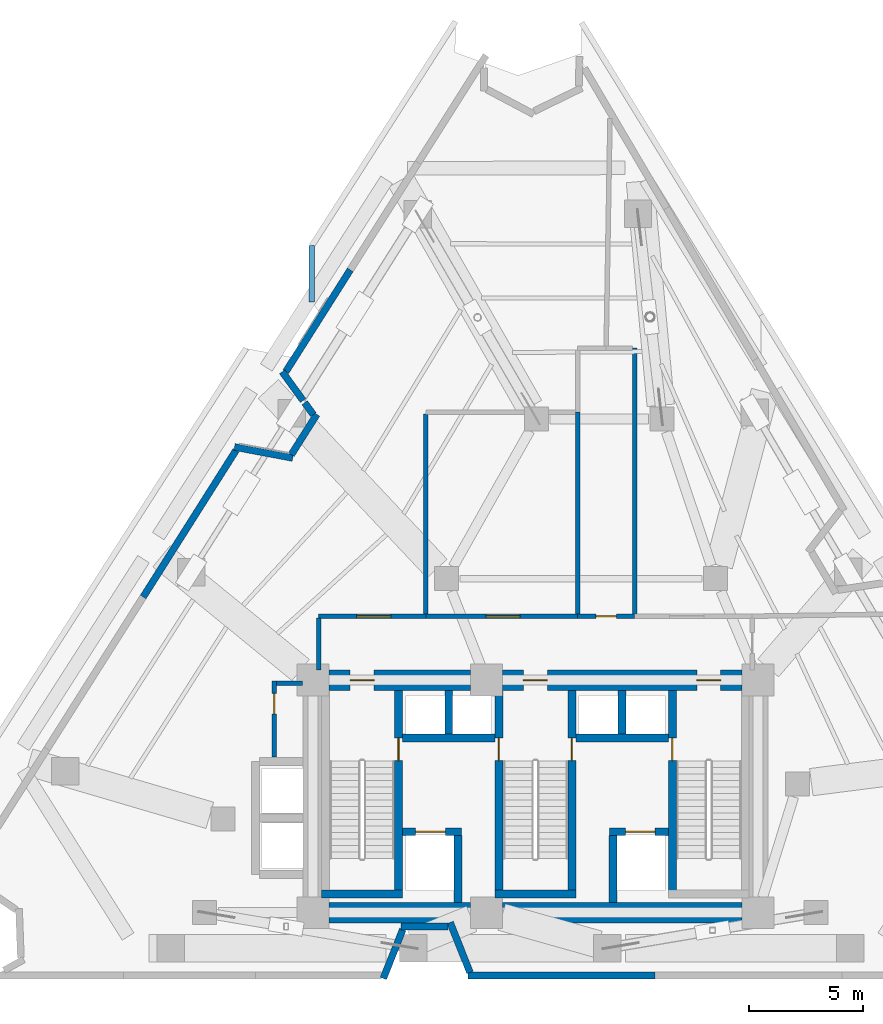
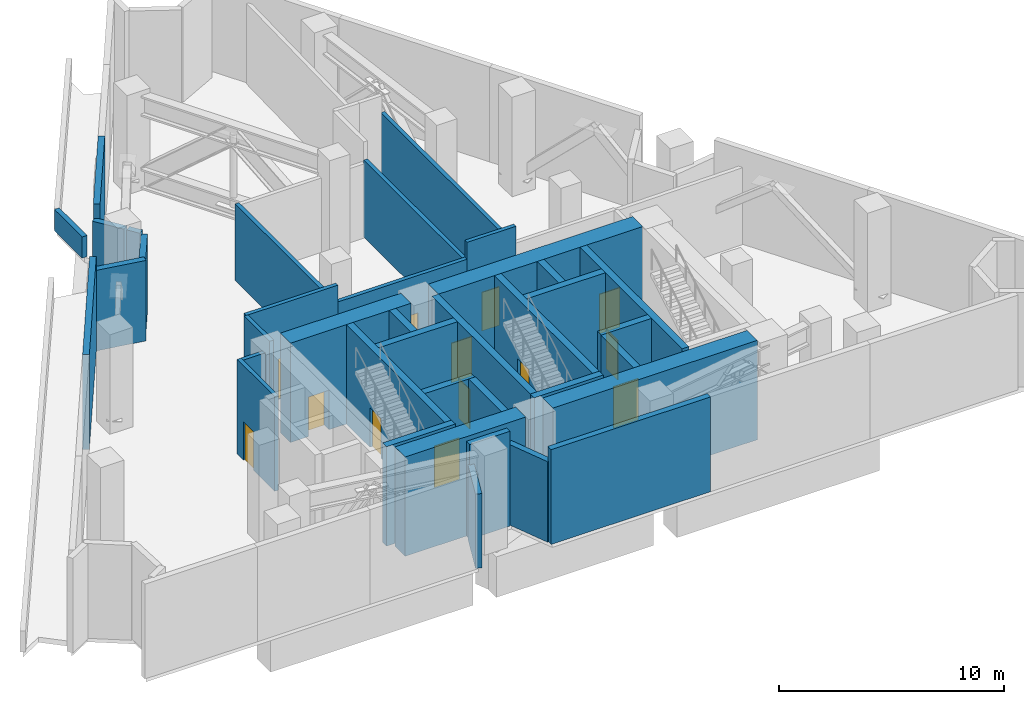
# One storey, part 7 of 9: 38 walls, 13 doors, 13 openings.
"""IFC4 building model written with IfcOpenShell, lengths in metres."""

from ifc_helpers import new_model, si_unit, direction, frame, frame_2d, origin, place, context, subcontext, project, spatial, rectangle, extrude, material, layer, layer_set, type_object, element, fill, save


model = new_model("IFC4")

# Units and contexts
model_context = context("Model", 3, precision=1e-05, world=origin(), true_north=direction((0.0, 1.0)))
body_context = subcontext(model_context, "Body", "Model", "MODEL_VIEW")
ifc_project = project(units=[si_unit("LENGTHUNIT", "METRE"), si_unit("AREAUNIT", "SQUARE_METRE"), si_unit("VOLUMEUNIT", "CUBIC_METRE"), si_unit("PLANEANGLEUNIT", "RADIAN"), si_unit("MASSUNIT", "GRAM", prefix="KILO")], contexts=[model_context])

# Site, building, storey
site_placement = place(None, origin())
site = spatial("IfcSite", under=ifc_project, at=site_placement, CompositionType="ELEMENT")
building_placement = place(site_placement, origin())
building = spatial("IfcBuilding", under=site, at=building_placement, Name="Almagre Mirador Tower", CompositionType="ELEMENT")
storey_placement = place(building_placement, frame((0.0, 0.0, 105.0)))
storey = spatial("IfcBuildingStorey", under=building, at=storey_placement, Name="L26", CompositionType="ELEMENT", Elevation=105.0)

# Walls
ifc_material_1 = material(Name="Precast concrete C50/60", Category="concrete")
ifc_layer_1 = layer(ifc_material_1, 0.300048828125)
ifc_layer_set_1 = layer_set([ifc_layer_1], Name="Precast concrete C50/60")
wall_type_1 = type_object("IfcWallType", Name="WAL-EXT-300", PredefinedType="SOLIDWALL", material=ifc_layer_set_1)
wall_1_placement = place(storey_placement, frame((24.111328125, 24.968017578125, 0.0), z_axis=(0.0, 0.0, 1.0), x_axis=(0.982733402646, -0.185027185367, 0.0)))
element("IfcWall", 1, at=wall_1_placement, inside=storey, type_object=wall_type_1, Name="L26 expressed almagre precast frame wall 01", PredefinedType="SOLIDWALL", context=body_context, shape_type="SweptSolid", body=[
    extrude(rectangle(XDim=2.593994140625, YDim=0.300048828125, at=frame_2d((1.296875, 0.0))), origin(), (0.0, 0.0, 1.0), 4.375),
])
wall_2_placement = place(storey_placement, frame((26.597900390625, 24.63232421875, 0.0), z_axis=(0.0, 0.0, 1.0), x_axis=(0.534893663515, 0.844919385937, 0.0)))
element("IfcWall", 2, at=wall_2_placement, inside=storey, type_object=wall_type_1, Name="L26 expressed almagre precast frame wall 02", PredefinedType="SOLIDWALL", context=body_context, shape_type="SweptSolid", body=[
    extrude(rectangle(XDim=2.090087890625, YDim=0.300048828125, at=frame_2d((1.044921875, 0.0))), origin(), (0.0, 0.0, 1.0), 4.177001953125),
])
wall_3_placement = place(storey_placement, frame((27.561767578125, 26.389404296875, 0.0), z_axis=(0.0, 0.0, 1.0), x_axis=(-0.587291012921, 0.80937584974, 0.0)))
element("IfcWall", 3, at=wall_3_placement, inside=storey, type_object=wall_type_1, Name="L26 expressed almagre precast frame wall 03", PredefinedType="SOLIDWALL", context=body_context, shape_type="SweptSolid", body=[
    extrude(rectangle(XDim=0.64306640625, YDim=0.300048828125, at=frame_2d((0.321533203125, 0.0))), origin(), (0.0, 0.0, 1.0), 4.375),
])
wall_4_placement = place(storey_placement, frame((27.11279296875, 27.008056640625, 0.0), z_axis=(0.0, 0.0, 1.0), x_axis=(-0.58731233988, 0.809360374262, 0.0)))
element("IfcWall", 4, at=wall_4_placement, inside=storey, type_object=wall_type_1, Name="L26 expressed almagre precast frame wall 04", PredefinedType="SOLIDWALL", context=body_context, shape_type="SweptSolid", body=[
    extrude(rectangle(XDim=1.5546875, YDim=0.300048828125, at=frame_2d((0.77734375, 0.0))), origin(), (0.0, 0.0, 1.0), 4.375),
])
wall_5_placement = place(storey_placement, frame((26.35693359375, 28.271240234375, 0.0), z_axis=(0.0, 0.0, 1.0), x_axis=(0.53489488565, 0.844918612238, 0.0)))
element("IfcWall", 5, at=wall_5_placement, inside=storey, type_object=wall_type_1, Name="L26 expressed almagre precast frame wall 05", PredefinedType="SOLIDWALL", context=body_context, shape_type="SweptSolid", body=[
    extrude(rectangle(XDim=5.2841796875, YDim=0.300048828125, at=frame_2d((2.64208984375, 0.0))), origin(), (0.0, 0.0, 1.0), 5.14990234375),
])
wall_6_placement = place(storey_placement, frame((42.542724609375, 1.800048828125, 0.0), z_axis=(0.0, 0.0, 1.0), x_axis=(-1.0, 0.0, 0.0)))
element("IfcWall", 6, at=wall_6_placement, inside=storey, type_object=wall_type_1, Name="L26 expressed almagre precast frame wall 26", PredefinedType="SOLIDWALL", context=body_context, shape_type="SweptSolid", body=[
    extrude(rectangle(XDim=8.19873046875, YDim=0.300048828125, at=frame_2d((4.099365234375, 0.0))), origin(), (0.0, 0.0, 1.0), 5.14990234375),
])
wall_7_placement = place(storey_placement, frame((34.43408203125, 1.92529296875, 0.0), z_axis=(0.0, 0.0, 1.0), x_axis=(-0.36946923074, 0.92924296475, 0.0)))
element("IfcWall", 7, at=wall_7_placement, inside=storey, type_object=wall_type_1, Name="L26 expressed almagre precast frame wall 27", PredefinedType="SOLIDWALL", context=body_context, shape_type="SweptSolid", body=[
    extrude(rectangle(XDim=2.366943359375, YDim=0.300048828125, at=frame_2d((1.18359375, 0.0))), origin(), (0.0, 0.0, 1.0), 4.375),
])
wall_8_placement = place(storey_placement, frame((33.47412109375, 3.949951171875, 0.0), z_axis=(0.0, 0.0, 1.0), x_axis=(-1.0, 0.0, 0.0)))
element("IfcWall", 8, at=wall_8_placement, inside=storey, type_object=wall_type_1, Name="L26 expressed almagre precast frame wall 28", PredefinedType="SOLIDWALL", context=body_context, shape_type="SweptSolid", body=[
    extrude(rectangle(XDim=2.0751953125, YDim=0.300048828125, at=frame_2d((1.03759765625, 0.0))), origin(), (0.0, 0.0, 1.0), 5.14990234375),
])
wall_9_placement = place(storey_placement, frame((31.486572265625, 3.818115234375, 0.0), z_axis=(0.0, 0.0, 1.0), x_axis=(-0.36951450634, -0.929224961785, 0.0)))
element("IfcWall", 9, at=wall_9_placement, inside=storey, type_object=wall_type_1, Name="L26 expressed almagre precast frame wall 29", PredefinedType="SOLIDWALL", context=body_context, shape_type="SweptSolid", body=[
    extrude(rectangle(XDim=2.311767578125, YDim=0.300048828125, at=frame_2d((1.15576171875, 0.0))), origin(), (0.0, 0.0, 1.0), 4.0380859375),
])
wall_10_placement = place(storey_placement, frame((20.10400390625, 18.39404296875, 0.0), z_axis=(0.0, 0.0, 1.0), x_axis=(0.534858194294, 0.844941839417, 0.0)))
element("IfcWall", 10, at=wall_10_placement, inside=storey, type_object=wall_type_1, Name="L26 expressed almagre precast frame wall 39", PredefinedType="SOLIDWALL", context=body_context, shape_type="SweptSolid", body=[
    extrude(rectangle(XDim=7.609619140625, YDim=0.300048828125, at=frame_2d((3.8046875, 0.0))), origin(), (0.0, 0.0, 1.0), 5.14990234375),
])
ifc_material_2 = material(Name="Precast concrete C50/60", Category="concrete")
ifc_layer_2 = layer(ifc_material_2, 0.25)
ifc_layer_set_2 = layer_set([ifc_layer_2], Name="Precast concrete C50/60")
wall_type_2 = type_object("IfcWallType", Name="WAL-PAR-250", PredefinedType="PARAPET", material=ifc_layer_set_2)
wall_11_placement = place(storey_placement, frame((27.5, 31.324462890625, 0.0), z_axis=(0.0, 0.0, 1.0), x_axis=(0.0, 1.0, 0.0)))
element("IfcWall", 11, at=wall_11_placement, inside=storey, type_object=wall_type_2, Name="L26 terrace precast parapet 2.5", PredefinedType="PARAPET", context=body_context, shape_type="SweptSolid", body=[
    extrude(rectangle(XDim=2.472900390625, YDim=0.25, at=frame_2d((1.236328125, 0.0))), origin(), (0.0, 0.0, 1.0), 1.14990234375),
])

# Wall, opening, door
ifc_material_3 = material(Name="Gypsum acoustic stud partition", Category="other")
ifc_layer_3 = layer(ifc_material_3, 0.199951171875)
ifc_layer_set_3 = layer_set([ifc_layer_3], Name="Gypsum acoustic stud partition")
wall_type_3 = type_object("IfcWallType", Name="WAL-PRT-200-EI60", PredefinedType="PARTITIONING", material=ifc_layer_set_3)
wall_12_placement = place(storey_placement, frame((25.85009765625, 11.3701171875, 0.0), z_axis=(0.0, 0.0, 1.0), x_axis=(0.0, 1.0, 0.0)))
wall_12 = element("IfcWall", 12, at=wall_12_placement, inside=storey, type_object=wall_type_3, Name="L26 core ancillary west wall", PredefinedType="PARTITIONING", context=body_context, shape_type="SweptSolid", body=[
    extrude(rectangle(XDim=3.33984375, YDim=0.199951171875, at=frame_2d((1.669921875, 0.0))), origin(), (0.0, 0.0, 1.0), 5.14990234375),
])
opening_1_placement = place(wall_12_placement, frame((1.89990234375, 0.0, 0.0)))
opening_1 = element("IfcOpeningElement", 13, at=opening_1_placement, cuts=wall_12, Name="Opening ID-03", PredefinedType="OPENING", context=body_context, shape_type="SweptSolid", body=[
    extrude(rectangle(XDim=0.89990234375, YDim=2.10009765625, at=frame_2d((0.449951171875, 1.050048828125))), frame((0.0, 0.110098, 0.0), z_axis=(0.0, -1.0, 0.0), x_axis=(1.0, 0.0, 0.0)), (0.0, 0.0, 1.0), 0.219951),
])
ifc_material_4 = material(Name="Fire-rated hollow steel", Category="steel")
door_type_1 = type_object("IfcDoorType", Name="DOR-FD60-900X2100", OperationType="NOTDEFINED", PredefinedType="DOOR", material=ifc_material_4)
door_1_placement = place(opening_1_placement, origin())
door_1 = element("IfcDoor", 14, at=door_1_placement, inside=storey, type_object=door_type_1, Name="DR-0867 L26 core ancillary corridor door", OperationType="SINGLE_SWING_RIGHT", OverallHeight=2.10009765625, OverallWidth=0.89990234375, PredefinedType="DOOR", context=body_context, shape_type="SweptSolid", body=[
    extrude(rectangle(XDim=0.89990234375, YDim=2.10009765625, at=frame_2d((0.449951171875, 1.050048828125))), frame((0.0, 0.02490234375, 0.0), z_axis=(0.0, -1.0, 0.0), x_axis=(1.0, 0.0, 0.0)), (0.0, 0.0, 1.0), 0.050048828125),
])
fill(opening_1, door_1)

# Wall
wall_13_placement = place(storey_placement, frame((25.955078125, 14.6201171875, 0.0), z_axis=(0.0, 0.0, 1.0), x_axis=(1.0, 0.0, 0.0)))
element("IfcWall", 15, at=wall_13_placement, inside=storey, type_object=wall_type_3, Name="L26 core ancillary north wall", PredefinedType="PARTITIONING", context=body_context, shape_type="SweptSolid", body=[
    extrude(rectangle(XDim=1.1298828125, YDim=0.199951171875, at=frame_2d((0.56494140625, 0.0))), origin(), (0.0, 0.0, 1.0), 5.14990234375),
])

# Wall, opening, door
wall_14_placement = place(storey_placement, frame((39.14990234375, 17.550048828125, 0.0), z_axis=(0.0, 0.0, 1.0), x_axis=(1.0, 0.0, 0.0)))
wall_14 = element("IfcWall", 16, at=wall_14_placement, inside=storey, type_object=wall_type_3, Name="L26 interior partition 002", PredefinedType="PARTITIONING", context=body_context, shape_type="SweptSolid", body=[
    extrude(rectangle(XDim=2.5, YDim=0.199951171875, at=frame_2d((1.25, 0.0))), origin(), (0.0, 0.0, 1.0), 5.14990234375),
])
opening_2_placement = place(wall_14_placement, frame((0.800048828125, 0.0, 0.0)))
opening_2 = element("IfcOpeningElement", 17, at=opening_2_placement, cuts=wall_14, Name="Opening ID-03", PredefinedType="OPENING", context=body_context, shape_type="SweptSolid", body=[
    extrude(rectangle(XDim=0.89990234375, YDim=2.10009765625, at=frame_2d((0.449951171875, 1.050048828125))), frame((0.0, 0.110098, 0.0), z_axis=(0.0, -1.0, 0.0), x_axis=(1.0, 0.0, 0.0)), (0.0, 0.0, 1.0), 0.219951),
])
door_2_placement = place(opening_2_placement, origin())
door_2 = element("IfcDoor", 18, at=door_2_placement, inside=storey, type_object=door_type_1, Name="DR-0872 L26 interior door L26-PLT-2 to L26-PCOR", OperationType="SINGLE_SWING_LEFT", OverallHeight=2.10009765625, OverallWidth=0.89990234375, PredefinedType="DOOR", context=body_context, shape_type="SweptSolid", body=[
    extrude(rectangle(XDim=0.89990234375, YDim=2.10009765625, at=frame_2d((0.449951171875, 1.050048828125))), frame((0.0, 0.02490234375, 0.0), z_axis=(0.0, -1.0, 0.0), x_axis=(1.0, 0.0, 0.0)), (0.0, 0.0, 1.0), 0.050048828125),
])
fill(opening_2, door_2)

# Walls
wall_15_placement = place(storey_placement, frame((39.14990234375, 26.5, 0.0), z_axis=(0.0, 0.0, 1.0), x_axis=(0.0, -1.0, 0.0)))
element("IfcWall", 19, at=wall_15_placement, inside=storey, type_object=wall_type_3, Name="L26 interior partition 003", PredefinedType="PARTITIONING", context=body_context, shape_type="SweptSolid", body=[
    extrude(rectangle(XDim=8.864990234375, YDim=0.199951171875, at=frame_2d((4.4326171875, 0.0))), origin(), (0.0, 0.0, 1.0), 4.169921875),
])
wall_16_placement = place(storey_placement, frame((41.64990234375, 17.635009765625, 0.0), z_axis=(0.0, 0.0, 1.0), x_axis=(0.0, 1.0, 0.0)))
element("IfcWall", 20, at=wall_16_placement, inside=storey, type_object=wall_type_3, Name="L26 interior partition 004", PredefinedType="PARTITIONING", context=body_context, shape_type="SweptSolid", body=[
    extrude(rectangle(XDim=11.6650390625, YDim=0.199951171875, at=frame_2d((5.83251953125, 0.0))), origin(), (0.0, 0.0, 1.0), 4.169921875),
])

# Wall, opening, door
wall_17_placement = place(storey_placement, frame((39.14990234375, 17.550048828125, 0.0), z_axis=(0.0, 0.0, 1.0), x_axis=(-1.0, 0.0, 0.0)))
wall_17 = element("IfcWall", 21, at=wall_17_placement, inside=storey, type_object=wall_type_3, Name="L26 interior partition 008", PredefinedType="PARTITIONING", context=body_context, shape_type="SweptSolid", body=[
    extrude(rectangle(XDim=6.64990234375, YDim=0.199951171875, at=frame_2d((3.324951171875, 0.0))), origin(), (0.0, 0.0, 1.0), 4.236083984375),
])
opening_3_placement = place(wall_17_placement, frame((2.515625, 0.0, 0.0)))
opening_3 = element("IfcOpeningElement", 22, at=opening_3_placement, cuts=wall_17, Name="Opening ID-04", PredefinedType="OPENING", context=body_context, shape_type="SweptSolid", body=[
    extrude(rectangle(XDim=1.5, YDim=2.199951171875, at=frame_2d((0.75, 1.10009765625))), frame((0.0, 0.110098, 0.0), z_axis=(0.0, -1.0, 0.0), x_axis=(1.0, 0.0, 0.0)), (0.0, 0.0, 1.0), 0.219951),
])
ifc_material_5 = material(Name="Fire-rated hollow steel", Category="steel")
door_type_2 = type_object("IfcDoorType", Name="DOR-FD60-1500X2200", OperationType="DOUBLE_DOOR_SINGLE_SWING", PredefinedType="DOOR", material=ifc_material_5)
door_3_placement = place(opening_3_placement, origin())
door_3 = element("IfcDoor", 23, at=door_3_placement, inside=storey, type_object=door_type_2, Name="DR-0873 L26 interior door L26-PCOR to L26-PLT-3", OperationType="DOUBLE_DOOR_SINGLE_SWING", OverallHeight=2.199951171875, OverallWidth=1.5, PredefinedType="DOOR", context=body_context, shape_type="SweptSolid", body=[
    extrude(rectangle(XDim=1.5, YDim=2.199951171875, at=frame_2d((0.75, 1.10009765625))), frame((0.0, 0.02490234375, 0.0), z_axis=(0.0, -1.0, 0.0), x_axis=(1.0, 0.0, 0.0)), (0.0, 0.0, 1.0), 0.050048828125),
])
fill(opening_3, door_3)

wall_18_placement = place(storey_placement, frame((32.5, 17.550048828125, 0.0), z_axis=(0.0, 0.0, 1.0), x_axis=(-1.0, 0.0, 0.0)))
wall_18 = element("IfcWall", 24, at=wall_18_placement, inside=storey, type_object=wall_type_3, Name="L26 interior partition 011", PredefinedType="PARTITIONING", context=body_context, shape_type="SweptSolid", body=[
    extrude(rectangle(XDim=4.699951171875, YDim=0.199951171875, at=frame_2d((2.35009765625, 0.0))), origin(), (0.0, 0.0, 1.0), 5.14990234375),
])
opening_4_placement = place(wall_18_placement, frame((1.54150390625, 0.0, 0.0)))
opening_4 = element("IfcOpeningElement", 25, at=opening_4_placement, cuts=wall_18, Name="Opening ID-04", PredefinedType="OPENING", context=body_context, shape_type="SweptSolid", body=[
    extrude(rectangle(XDim=1.5, YDim=2.199951171875, at=frame_2d((0.75, 1.10009765625))), frame((0.0, 0.110098, 0.0), z_axis=(0.0, -1.0, 0.0), x_axis=(1.0, 0.0, 0.0)), (0.0, 0.0, 1.0), 0.219951),
])
door_4_placement = place(opening_4_placement, origin())
door_4 = element("IfcDoor", 26, at=door_4_placement, inside=storey, type_object=door_type_2, Name="DR-0875 L26 interior door L26-PCOR to L26-PLT-5", OperationType="DOUBLE_DOOR_SINGLE_SWING", OverallHeight=2.199951171875, OverallWidth=1.5, PredefinedType="DOOR", context=body_context, shape_type="SweptSolid", body=[
    extrude(rectangle(XDim=1.5, YDim=2.199951171875, at=frame_2d((0.75, 1.10009765625))), frame((0.0, 0.02490234375, 0.0), z_axis=(0.0, -1.0, 0.0), x_axis=(1.0, 0.0, 0.0)), (0.0, 0.0, 1.0), 0.050048828125),
])
fill(opening_4, door_4)

# Walls
wall_19_placement = place(storey_placement, frame((27.800048828125, 17.465087890625, 0.0), z_axis=(0.0, 0.0, 1.0), x_axis=(0.0, -1.0, 0.0)))
element("IfcWall", 27, at=wall_19_placement, inside=storey, type_object=wall_type_3, Name="L26 interior partition 012", PredefinedType="PARTITIONING", context=body_context, shape_type="SweptSolid", body=[
    extrude(rectangle(XDim=2.26513671875, YDim=0.199951171875, at=frame_2d((1.132568359375, 0.0))), origin(), (0.0, 0.0, 1.0), 5.14990234375),
])
wall_20_placement = place(storey_placement, frame((32.5, 26.4150390625, 0.0), z_axis=(0.0, 0.0, 1.0), x_axis=(0.0, -1.0, 0.0)))
element("IfcWall", 28, at=wall_20_placement, inside=storey, type_object=wall_type_3, Name="L26 interior partition 014", PredefinedType="PARTITIONING", context=body_context, shape_type="SweptSolid", body=[
    extrude(rectangle(XDim=8.780029296875, YDim=0.199951171875, at=frame_2d((4.39013671875, 0.0))), origin(), (0.0, 0.0, 1.0), 4.172119140625),
])

# Wall, opening, door
ifc_material_6 = material(Name="Concrete C60/75", Category="concrete")
ifc_layer_4 = layer(ifc_material_6, 0.35009765625)
ifc_layer_set_4 = layer_set([ifc_layer_4], Name="Concrete C60/75")
wall_type_4 = type_object("IfcWallType", Name="WAL-SHF-350", PredefinedType="SOLIDWALL", material=ifc_layer_set_4)
wall_21_placement = place(storey_placement, frame((31.300048828125, 5.199951171875, 0.0), z_axis=(0.0, 0.0, 1.0), x_axis=(0.0, 1.0, 0.0)))
wall_21 = element("IfcWall", 29, at=wall_21_placement, inside=storey, type_object=wall_type_4, Name="L26 shaft wall ST1-E", PredefinedType="SOLIDWALL", context=body_context, shape_type="SweptSolid", body=[
    extrude(rectangle(XDim=9.10009765625, YDim=0.35009765625, at=frame_2d((4.550048828125, 0.0))), origin(), (0.0, 0.0, 1.0), 5.39990234375),
])
opening_5_placement = place(wall_21_placement, frame((6.02001953125, 0.0, 0.0)))
opening_5 = element("IfcOpeningElement", 30, at=opening_5_placement, cuts=wall_21, Name="Opening FD-01", PredefinedType="OPENING", context=body_context, shape_type="SweptSolid", body=[
    extrude(rectangle(XDim=1.0, YDim=2.14990234375, at=frame_2d((0.5, 1.074951171875))), frame((0.0, 0.185049, 0.0), z_axis=(0.0, -1.0, 0.0), x_axis=(1.0, 0.0, 0.0)), (0.0, 0.0, 1.0), 0.370098),
])
ifc_material_7 = material(Name="Fire-rated hollow steel", Category="steel")
door_type_3 = type_object("IfcDoorType", Name="DOR-FFL-1000X2150", OperationType="NOTDEFINED", PredefinedType="DOOR", material=ifc_material_7)
door_5_placement = place(opening_5_placement, origin())
door_5 = element("IfcDoor", 31, at=door_5_placement, inside=storey, type_object=door_type_3, Name="DR-0868 L26 FFL1-ST1 smokeproof door", OperationType="SINGLE_SWING_RIGHT", OverallHeight=2.14990234375, OverallWidth=1.0, PredefinedType="DOOR", context=body_context, shape_type="SweptSolid", body=[
    extrude(rectangle(XDim=1.0, YDim=2.14990234375, at=frame_2d((0.5, 1.074951171875))), frame((0.0, 0.02490234375, 0.0), z_axis=(0.0, -1.0, 0.0), x_axis=(1.0, 0.0, 0.0)), (0.0, 0.0, 1.0), 0.050048828125),
])
fill(opening_5, door_5)

# Wall
wall_22_placement = place(storey_placement, frame((27.925048828125, 5.375, 0.0), z_axis=(0.0, 0.0, 1.0), x_axis=(1.0, 0.0, 0.0)))
element("IfcWall", 32, at=wall_22_placement, inside=storey, type_object=wall_type_4, Name="L26 shaft wall ST1-S", PredefinedType="SOLIDWALL", context=body_context, shape_type="SweptSolid", body=[
    extrude(rectangle(XDim=3.550048828125, YDim=0.35009765625, at=frame_2d((1.77490234375, 0.0))), origin(), (0.0, 0.0, 1.0), 5.39990234375),
])

# Wall, opening, door
wall_23_placement = place(storey_placement, frame((35.699951171875, 5.199951171875, 0.0), z_axis=(0.0, 0.0, 1.0), x_axis=(0.0, 1.0, 0.0)))
wall_23 = element("IfcWall", 33, at=wall_23_placement, inside=storey, type_object=wall_type_4, Name="L26 shaft wall ST2-W", PredefinedType="SOLIDWALL", context=body_context, shape_type="SweptSolid", body=[
    extrude(rectangle(XDim=9.10009765625, YDim=0.35009765625, at=frame_2d((4.550048828125, 0.0))), origin(), (0.0, 0.0, 1.0), 5.39990234375),
])
opening_6_placement = place(wall_23_placement, frame((6.02001953125, 0.0, 0.0)))
opening_6 = element("IfcOpeningElement", 34, at=opening_6_placement, cuts=wall_23, Name="Opening FD-01", PredefinedType="OPENING", context=body_context, shape_type="SweptSolid", body=[
    extrude(rectangle(XDim=1.0, YDim=2.14990234375, at=frame_2d((0.5, 1.074951171875))), frame((0.0, 0.185049, 0.0), z_axis=(0.0, -1.0, 0.0), x_axis=(1.0, 0.0, 0.0)), (0.0, 0.0, 1.0), 0.370098),
])
door_6_placement = place(opening_6_placement, origin())
door_6 = element("IfcDoor", 35, at=door_6_placement, inside=storey, type_object=door_type_3, Name="DR-0869 L26 FFL1-ST2 smokeproof door", OperationType="SINGLE_SWING_LEFT", OverallHeight=2.14990234375, OverallWidth=1.0, PredefinedType="DOOR", context=body_context, shape_type="SweptSolid", body=[
    extrude(rectangle(XDim=1.0, YDim=2.14990234375, at=frame_2d((0.5, 1.074951171875))), frame((0.0, 0.02490234375, 0.0), z_axis=(0.0, -1.0, 0.0), x_axis=(1.0, 0.0, 0.0)), (0.0, 0.0, 1.0), 0.050048828125),
])
fill(opening_6, door_6)

wall_24_placement = place(storey_placement, frame((38.89990234375, 5.199951171875, 0.0), z_axis=(0.0, 0.0, 1.0), x_axis=(0.0, 1.0, 0.0)))
wall_24 = element("IfcWall", 36, at=wall_24_placement, inside=storey, type_object=wall_type_4, Name="L26 shaft wall ST2-E", PredefinedType="SOLIDWALL", context=body_context, shape_type="SweptSolid", body=[
    extrude(rectangle(XDim=9.10009765625, YDim=0.35009765625, at=frame_2d((4.550048828125, 0.0))), origin(), (0.0, 0.0, 1.0), 5.39990234375),
])
opening_7_placement = place(wall_24_placement, frame((6.02001953125, 0.0, 0.0)))
opening_7 = element("IfcOpeningElement", 37, at=opening_7_placement, cuts=wall_24, Name="Opening FD-01", PredefinedType="OPENING", context=body_context, shape_type="SweptSolid", body=[
    extrude(rectangle(XDim=1.0, YDim=2.14990234375, at=frame_2d((0.5, 1.074951171875))), frame((0.0, 0.185049, 0.0), z_axis=(0.0, -1.0, 0.0), x_axis=(1.0, 0.0, 0.0)), (0.0, 0.0, 1.0), 0.370098),
])
door_7_placement = place(opening_7_placement, origin())
door_7 = element("IfcDoor", 38, at=door_7_placement, inside=storey, type_object=door_type_3, Name="DR-0870 L26 FFL2-ST2 smokeproof door", OperationType="SINGLE_SWING_RIGHT", OverallHeight=2.14990234375, OverallWidth=1.0, PredefinedType="DOOR", context=body_context, shape_type="SweptSolid", body=[
    extrude(rectangle(XDim=1.0, YDim=2.14990234375, at=frame_2d((0.5, 1.074951171875))), frame((0.0, 0.02490234375, 0.0), z_axis=(0.0, -1.0, 0.0), x_axis=(1.0, 0.0, 0.0)), (0.0, 0.0, 1.0), 0.050048828125),
])
fill(opening_7, door_7)

# Wall
wall_25_placement = place(storey_placement, frame((35.52490234375, 5.375, 0.0), z_axis=(0.0, 0.0, 1.0), x_axis=(1.0, 0.0, 0.0)))
element("IfcWall", 39, at=wall_25_placement, inside=storey, type_object=wall_type_4, Name="L26 shaft wall ST2-S", PredefinedType="SOLIDWALL", context=body_context, shape_type="SweptSolid", body=[
    extrude(rectangle(XDim=3.550048828125, YDim=0.35009765625, at=frame_2d((1.77490234375, 0.0))), origin(), (0.0, 0.0, 1.0), 5.39990234375),
])

# Wall, opening, door
wall_26_placement = place(storey_placement, frame((43.300048828125, 5.199951171875, 0.0), z_axis=(0.0, 0.0, 1.0), x_axis=(0.0, 1.0, 0.0)))
wall_26 = element("IfcWall", 40, at=wall_26_placement, inside=storey, type_object=wall_type_4, Name="L26 shaft wall ST3-W", PredefinedType="SOLIDWALL", context=body_context, shape_type="SweptSolid", body=[
    extrude(rectangle(XDim=9.10009765625, YDim=0.35009765625, at=frame_2d((4.550048828125, 0.0))), origin(), (0.0, 0.0, 1.0), 5.39990234375),
])
opening_8_placement = place(wall_26_placement, frame((6.02001953125, 0.0, 0.0)))
opening_8 = element("IfcOpeningElement", 41, at=opening_8_placement, cuts=wall_26, Name="Opening FD-01", PredefinedType="OPENING", context=body_context, shape_type="SweptSolid", body=[
    extrude(rectangle(XDim=1.0, YDim=2.14990234375, at=frame_2d((0.5, 1.074951171875))), frame((0.0, 0.185049, 0.0), z_axis=(0.0, -1.0, 0.0), x_axis=(1.0, 0.0, 0.0)), (0.0, 0.0, 1.0), 0.370098),
])
door_8_placement = place(opening_8_placement, origin())
door_8 = element("IfcDoor", 42, at=door_8_placement, inside=storey, type_object=door_type_3, Name="DR-0871 L26 FFL2-ST3 smokeproof door", OperationType="SINGLE_SWING_LEFT", OverallHeight=2.14990234375, OverallWidth=1.0, PredefinedType="DOOR", context=body_context, shape_type="SweptSolid", body=[
    extrude(rectangle(XDim=1.0, YDim=2.14990234375, at=frame_2d((0.5, 1.074951171875))), frame((0.0, 0.02490234375, 0.0), z_axis=(0.0, -1.0, 0.0), x_axis=(1.0, 0.0, 0.0)), (0.0, 0.0, 1.0), 0.050048828125),
])
fill(opening_8, door_8)

wall_27_placement = place(storey_placement, frame((31.47509765625, 8.10009765625, 0.0), z_axis=(0.0, 0.0, 1.0), x_axis=(1.0, 0.0, 0.0)))
wall_27 = element("IfcWall", 43, at=wall_27_placement, inside=storey, type_object=wall_type_4, Name="L26 shaft wall FSAE1-N", PredefinedType="SOLIDWALL", context=body_context, shape_type="SweptSolid", body=[
    extrude(rectangle(XDim=2.574951171875, YDim=0.35009765625, at=frame_2d((1.28759765625, 0.0))), origin(), (0.0, 0.0, 1.0), 5.39990234375),
])
opening_9_placement = place(wall_27_placement, frame((0.574951171875, 0.0, 0.0)))
opening_9 = element("IfcOpeningElement", 44, at=opening_9_placement, cuts=wall_27, Name="Opening LD-03", PredefinedType="OPENING", context=body_context, shape_type="SweptSolid", body=[
    extrude(rectangle(XDim=1.300048828125, YDim=2.25, at=frame_2d((0.64990234375, 1.125))), frame((0.0, 0.185049, 0.0), z_axis=(0.0, -1.0, 0.0), x_axis=(1.0, 0.0, 0.0)), (0.0, 0.0, 1.0), 0.370098),
])
ifc_material_8 = material(Name="Hollow stainless steel", Category="steel")
door_type_4 = type_object("IfcDoorType", Name="DOR-LD-1300X2250", OperationType="DOUBLE_DOOR_SLIDING", PredefinedType="DOOR", material=ifc_material_8)
door_9_placement = place(opening_9_placement, origin())
door_9 = element("IfcDoor", 45, at=door_9_placement, inside=storey, type_object=door_type_4, Name="DR-0877 L26 FSAE-1 lift landing door", OperationType="DOUBLE_DOOR_SLIDING", OverallHeight=2.25, OverallWidth=1.300048828125, PredefinedType="DOOR", context=body_context, shape_type="SweptSolid", body=[
    extrude(rectangle(XDim=1.300048828125, YDim=2.25, at=frame_2d((0.64990234375, 1.125))), frame((0.0, 0.02490234375, 0.0), z_axis=(0.0, -1.0, 0.0), x_axis=(1.0, 0.0, 0.0)), (0.0, 0.0, 1.0), 0.050048828125),
])
fill(opening_9, door_9)

wall_28_placement = place(storey_placement, frame((40.550048828125, 8.10009765625, 0.0), z_axis=(0.0, 0.0, 1.0), x_axis=(1.0, 0.0, 0.0)))
wall_28 = element("IfcWall", 46, at=wall_28_placement, inside=storey, type_object=wall_type_4, Name="L26 shaft wall FSAE2-N", PredefinedType="SOLIDWALL", context=body_context, shape_type="SweptSolid", body=[
    extrude(rectangle(XDim=2.574951171875, YDim=0.35009765625, at=frame_2d((1.28759765625, 0.0))), origin(), (0.0, 0.0, 1.0), 5.39990234375),
])
opening_10_placement = place(wall_28_placement, frame((0.699951171875, 0.0, 0.0)))
opening_10 = element("IfcOpeningElement", 47, at=opening_10_placement, cuts=wall_28, Name="Opening LD-03", PredefinedType="OPENING", context=body_context, shape_type="SweptSolid", body=[
    extrude(rectangle(XDim=1.300048828125, YDim=2.25, at=frame_2d((0.64990234375, 1.125))), frame((0.0, 0.185049, 0.0), z_axis=(0.0, -1.0, 0.0), x_axis=(1.0, 0.0, 0.0)), (0.0, 0.0, 1.0), 0.370098),
])
door_10_placement = place(opening_10_placement, origin())
door_10 = element("IfcDoor", 48, at=door_10_placement, inside=storey, type_object=door_type_4, Name="DR-0878 L26 FSAE-2 lift landing door", OperationType="DOUBLE_DOOR_SLIDING", OverallHeight=2.25, OverallWidth=1.300048828125, PredefinedType="DOOR", context=body_context, shape_type="SweptSolid", body=[
    extrude(rectangle(XDim=1.300048828125, YDim=2.25, at=frame_2d((0.64990234375, 1.125))), frame((0.0, 0.02490234375, 0.0), z_axis=(0.0, -1.0, 0.0), x_axis=(1.0, 0.0, 0.0)), (0.0, 0.0, 1.0), 0.050048828125),
])
fill(opening_10, door_10)

# Walls
for number, where, z_axis, x_axis, name in (
    (49, (33.89990234375, 5.0, 0.0), (0.0, 0.0, 1.0), (0.0, 1.0, 0.0), "L26 shaft wall FSAE1-E"),
    (50, (40.699951171875, 5.0, 0.0), (0.0, 0.0, 1.0), (0.0, 1.0, 0.0), "L26 shaft wall FSAE2-W"),
):
    element("IfcWall", number, at=place(storey_placement, frame(where, z_axis=z_axis, x_axis=x_axis)), inside=storey, type_object=wall_type_4, Name=name, PredefinedType="SOLIDWALL", context=body_context, shape_type="SweptSolid", body=[
        extrude(rectangle(XDim=2.925048828125, YDim=0.35009765625, at=frame_2d((1.46240234375, 0.0))), origin(), (0.0, 0.0, 1.0), 5.39990234375),
    ])
wall_29_placement = place(storey_placement, frame((31.47509765625, 12.199951171875, 0.0), z_axis=(0.0, 0.0, 1.0), x_axis=(1.0, 0.0, 0.0)))
element("IfcWall", 51, at=wall_29_placement, inside=storey, type_object=wall_type_4, Name="L26 shaft wall PLM-S", PredefinedType="SOLIDWALL", context=body_context, shape_type="SweptSolid", body=[
    extrude(rectangle(XDim=4.0498046875, YDim=0.35009765625, at=frame_2d((2.02490234375, 0.0))), origin(), (0.0, 0.0, 1.0), 5.39990234375),
])
wall_30_placement = place(storey_placement, frame((33.5, 12.375, 0.0), z_axis=(0.0, 0.0, 1.0), x_axis=(0.0, 1.0, 0.0)))
element("IfcWall", 52, at=wall_30_placement, inside=storey, type_object=wall_type_4, Name="L26 shaft wall PLM-M", PredefinedType="SOLIDWALL", context=body_context, shape_type="SweptSolid", body=[
    extrude(rectangle(XDim=1.925048828125, YDim=0.35009765625, at=frame_2d((0.96240234375, 0.0))), origin(), (0.0, 0.0, 1.0), 5.39990234375),
])
wall_31_placement = place(storey_placement, frame((39.074951171875, 12.199951171875, 0.0), z_axis=(0.0, 0.0, 1.0), x_axis=(1.0, 0.0, 0.0)))
element("IfcWall", 53, at=wall_31_placement, inside=storey, type_object=wall_type_4, Name="L26 shaft wall PLH-S", PredefinedType="SOLIDWALL", context=body_context, shape_type="SweptSolid", body=[
    extrude(rectangle(XDim=4.050048828125, YDim=0.35009765625, at=frame_2d((2.02490234375, 0.0))), origin(), (0.0, 0.0, 1.0), 5.39990234375),
])
wall_32_placement = place(storey_placement, frame((41.10009765625, 12.375, 0.0), z_axis=(0.0, 0.0, 1.0), x_axis=(0.0, 1.0, 0.0)))
element("IfcWall", 54, at=wall_32_placement, inside=storey, type_object=wall_type_4, Name="L26 shaft wall PLH-M", PredefinedType="SOLIDWALL", context=body_context, shape_type="SweptSolid", body=[
    extrude(rectangle(XDim=1.925048828125, YDim=0.35009765625, at=frame_2d((0.96240234375, 0.0))), origin(), (0.0, 0.0, 1.0), 5.39990234375),
])
ifc_material_9 = material(Name="Concrete C70/85", Category="concrete")
ifc_layer_5 = layer(ifc_material_9, 0.89990234375)
ifc_layer_set_5 = layer_set([ifc_layer_5], Name="Concrete C70/85")
wall_type_5 = type_object("IfcWallType", Name="WAL-SHR-900", PredefinedType="SHEAR", material=ifc_layer_set_5)
wall_33_placement = place(storey_placement, frame((28.25, 4.550048828125, 0.0), z_axis=(0.0, 0.0, 1.0), x_axis=(1.0, 0.0, 0.0)))
element("IfcWall", 55, at=wall_33_placement, inside=storey, type_object=wall_type_5, Name="L26 core shear wall S1", PredefinedType="SHEAR", context=body_context, shape_type="SweptSolid", body=[
    extrude(rectangle(XDim=6.199951171875, YDim=0.89990234375, at=frame_2d((3.10009765625, 0.0))), origin(), (0.0, 0.0, 1.0), 5.39990234375),
])
wall_34_placement = place(storey_placement, frame((35.85009765625, 4.550048828125, 0.0), z_axis=(0.0, 0.0, 1.0), x_axis=(1.0, 0.0, 0.0)))
element("IfcWall", 56, at=wall_34_placement, inside=storey, type_object=wall_type_5, Name="L26 core shear wall S2", PredefinedType="SHEAR", context=body_context, shape_type="SweptSolid", body=[
    extrude(rectangle(XDim=10.5, YDim=0.89990234375, at=frame_2d((5.25, 0.0))), origin(), (0.0, 0.0, 1.0), 5.39990234375),
])

# Wall, opening, door
wall_35_placement = place(storey_placement, frame((28.25, 14.75, 0.0), z_axis=(0.0, 0.0, 1.0), x_axis=(1.0, 0.0, 0.0)))
wall_35 = element("IfcWall", 57, at=wall_35_placement, inside=storey, type_object=wall_type_5, Name="L26 core shear wall N1", PredefinedType="SHEAR", context=body_context, shape_type="SweptSolid", body=[
    extrude(rectangle(XDim=6.199951171875, YDim=0.89990234375, at=frame_2d((3.10009765625, 0.0))), origin(), (0.0, 0.0, 1.0), 5.39990234375),
])
opening_11_placement = place(wall_35_placement, frame((0.925048828125, 0.0, 0.0)))
opening_11 = element("IfcOpeningElement", 58, at=opening_11_placement, cuts=wall_35, Name="Opening SD-01", PredefinedType="OPENING", context=body_context, shape_type="SweptSolid", body=[
    extrude(rectangle(XDim=1.050048828125, YDim=2.14990234375, at=frame_2d((0.52490234375, 1.074951171875))), frame((0.0, 0.459951, 0.0), z_axis=(0.0, -1.0, 0.0), x_axis=(1.0, 0.0, 0.0)), (0.0, 0.0, 1.0), 0.919902),
])
ifc_material_10 = material(Name="Fire-rated hollow steel", Category="steel")
door_type_5 = type_object("IfcDoorType", Name="DOR-ST-1050X2150", OperationType="NOTDEFINED", PredefinedType="DOOR", material=ifc_material_10)
door_11_placement = place(opening_11_placement, origin())
door_11 = element("IfcDoor", 59, at=door_11_placement, inside=storey, type_object=door_type_5, Name="DR-0879 L26 protected exit stair ST-1 door", OperationType="SINGLE_SWING_RIGHT", OverallHeight=2.14990234375, OverallWidth=1.050048828125, PredefinedType="DOOR", context=body_context, shape_type="SweptSolid", body=[
    extrude(rectangle(XDim=1.050048828125, YDim=2.14990234375, at=frame_2d((0.52490234375, 1.074951171875))), frame((0.0, 0.02490234375, 0.0), z_axis=(0.0, -1.0, 0.0), x_axis=(1.0, 0.0, 0.0)), (0.0, 0.0, 1.0), 0.050048828125),
])
fill(opening_11, door_11)

# Wall, openings, doors
wall_36_placement = place(storey_placement, frame((35.85009765625, 14.75, 0.0), z_axis=(0.0, 0.0, 1.0), x_axis=(1.0, 0.0, 0.0)))
wall_36 = element("IfcWall", 60, at=wall_36_placement, inside=storey, type_object=wall_type_5, Name="L26 core shear wall N2", PredefinedType="SHEAR", context=body_context, shape_type="SweptSolid", body=[
    extrude(rectangle(XDim=10.5, YDim=0.89990234375, at=frame_2d((5.25, 0.0))), origin(), (0.0, 0.0, 1.0), 5.39990234375),
])
opening_12_placement = place(wall_36_placement, frame((0.925048828125, 0.0, 0.0)))
opening_12 = element("IfcOpeningElement", 61, at=opening_12_placement, cuts=wall_36, Name="Opening SD-01", PredefinedType="OPENING", context=body_context, shape_type="SweptSolid", body=[
    extrude(rectangle(XDim=1.050048828125, YDim=2.14990234375, at=frame_2d((0.52490234375, 1.074951171875))), frame((0.0, 0.459951, 0.0), z_axis=(0.0, -1.0, 0.0), x_axis=(1.0, 0.0, 0.0)), (0.0, 0.0, 1.0), 0.919902),
])
opening_13_placement = place(wall_36_placement, frame((8.52490234375, 0.0, 0.0)))
opening_13 = element("IfcOpeningElement", 62, at=opening_13_placement, cuts=wall_36, Name="Opening SD-01", PredefinedType="OPENING", context=body_context, shape_type="SweptSolid", body=[
    extrude(rectangle(XDim=1.050048828125, YDim=2.14990234375, at=frame_2d((0.52490234375, 1.074951171875))), frame((0.0, 0.459951, 0.0), z_axis=(0.0, -1.0, 0.0), x_axis=(1.0, 0.0, 0.0)), (0.0, 0.0, 1.0), 0.919902),
])
door_12_placement = place(opening_12_placement, origin())
door_12 = element("IfcDoor", 63, at=door_12_placement, inside=storey, type_object=door_type_5, Name="DR-0880 L26 protected exit stair ST-2 door", OperationType="SINGLE_SWING_RIGHT", OverallHeight=2.14990234375, OverallWidth=1.050048828125, PredefinedType="DOOR", context=body_context, shape_type="SweptSolid", body=[
    extrude(rectangle(XDim=1.050048828125, YDim=2.14990234375, at=frame_2d((0.52490234375, 1.074951171875))), frame((0.0, 0.02490234375, 0.0), z_axis=(0.0, -1.0, 0.0), x_axis=(1.0, 0.0, 0.0)), (0.0, 0.0, 1.0), 0.050048828125),
])
fill(opening_12, door_12)
door_13_placement = place(opening_13_placement, origin())
door_13 = element("IfcDoor", 64, at=door_13_placement, inside=storey, type_object=door_type_5, Name="DR-0881 L26 protected exit stair ST-3 door", OperationType="SINGLE_SWING_LEFT", OverallHeight=2.14990234375, OverallWidth=1.050048828125, PredefinedType="DOOR", context=body_context, shape_type="SweptSolid", body=[
    extrude(rectangle(XDim=1.050048828125, YDim=2.14990234375, at=frame_2d((0.52490234375, 1.074951171875))), frame((0.0, 0.02490234375, 0.0), z_axis=(0.0, -1.0, 0.0), x_axis=(1.0, 0.0, 0.0)), (0.0, 0.0, 1.0), 0.050048828125),
])
fill(opening_13, door_13)

save(model, "model.ifc")
